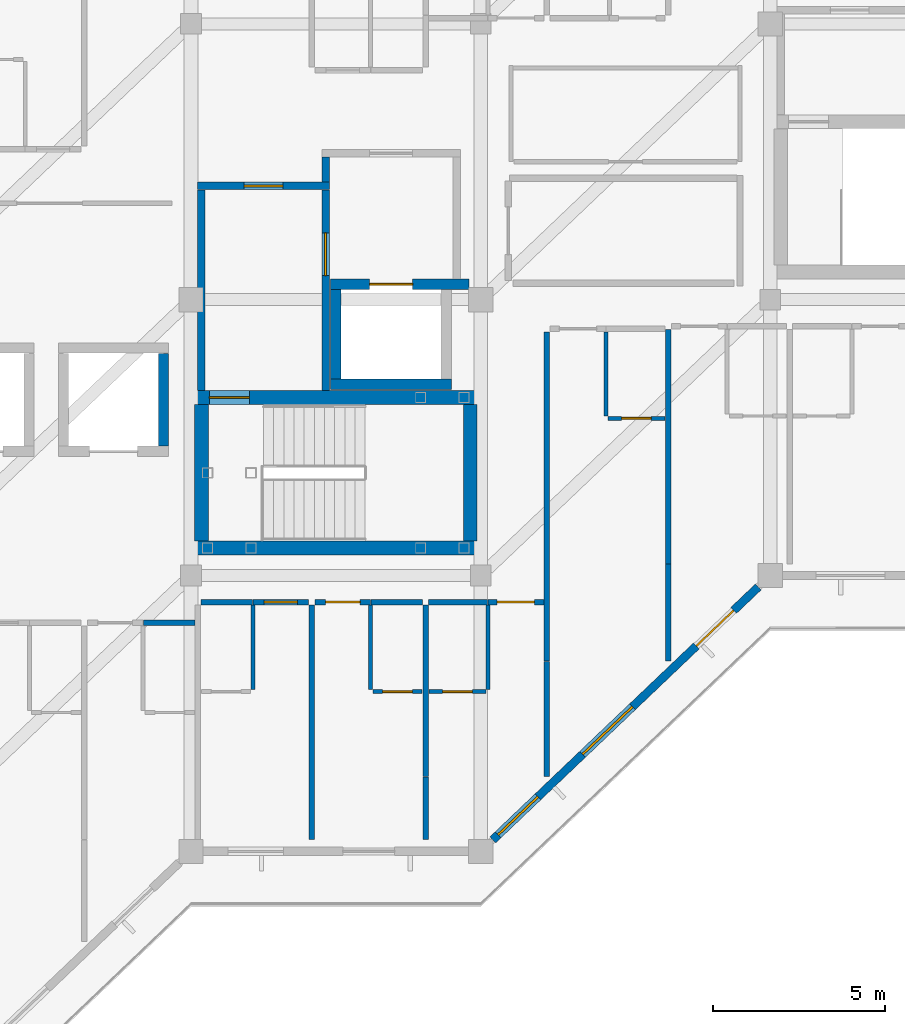
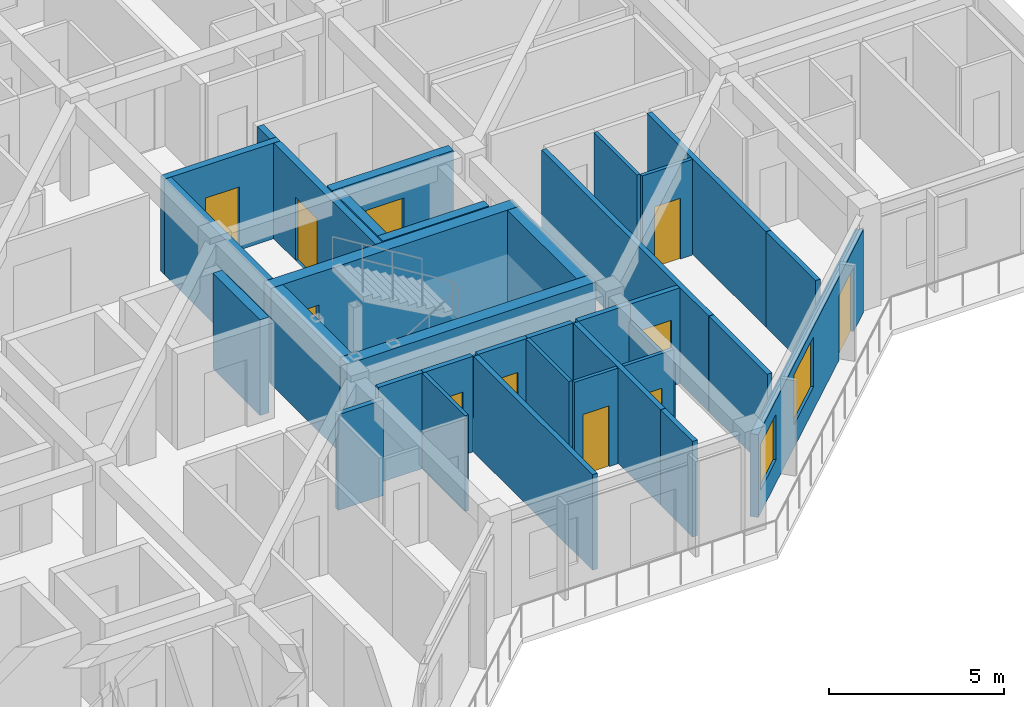
# One storey, part 9 of 15: 34 walls, 11 doors, 2 windows, 13 openings.
"""IFC4 building model written with IfcOpenShell, lengths in metres."""

from ifc_helpers import new_model, si_unit, direction, frame, frame_2d, origin, place, context, subcontext, project, spatial, rectangle, extrude, material, layer, layer_set, type_object, element, fill, save


model = new_model("IFC4")

# Units and contexts
model_context = context("Model", 3, precision=1e-05, world=origin(), true_north=direction((0.0, 1.0)))
body_context = subcontext(model_context, "Body", "Model", "MODEL_VIEW")
ifc_project = project(units=[si_unit("LENGTHUNIT", "METRE"), si_unit("AREAUNIT", "SQUARE_METRE"), si_unit("VOLUMEUNIT", "CUBIC_METRE"), si_unit("PLANEANGLEUNIT", "RADIAN"), si_unit("MASSUNIT", "GRAM", prefix="KILO")], contexts=[model_context])

# Site, building, storey
site_placement = place(None, origin())
site = spatial("IfcSite", under=ifc_project, at=site_placement, CompositionType="ELEMENT")
building_placement = place(site_placement, origin())
building = spatial("IfcBuilding", under=site, at=building_placement, Name="Naruveol Harbour Congress Hotel", CompositionType="ELEMENT")
storey_placement = place(building_placement, frame((0.0, 0.0, 32.39990234375)))
storey = spatial("IfcBuildingStorey", under=building, at=storey_placement, Name="L07", CompositionType="ELEMENT", Elevation=32.39990234375)

# Walls
ifc_material_1 = material(Name="Moisture-Resistant Gypsum Partition", Category="gypsum")
ifc_layer_1 = layer(ifc_material_1, 0.114990234375)
ifc_layer_set_1 = layer_set([ifc_layer_1], Name="Moisture-Resistant Gypsum Partition")
wall_type_1 = type_object("IfcWallType", Name="BATHROOM MOISTURE PARTITION WALL 115", PredefinedType="PARTITIONING", material=ifc_layer_set_1)
for number, where, z_axis, x_axis, name in (
    (1, (152.989990234375, 12.68994140625, 0.0), (0.0, 0.0, 1.0), (0.0, 1.0, 0.0), "Bathroom east wall 0897 PW-115"),
    (2, (156.409912109375, 12.68994140625, 0.0), (0.0, 0.0, 1.0), (0.0, 1.0, 0.0), "Bathroom west wall 0898 PW-115"),
):
    element("IfcWall", number, at=place(storey_placement, frame(where, z_axis=z_axis, x_axis=x_axis)), inside=storey, type_object=wall_type_1, Name=name, PredefinedType="PARTITIONING", context=body_context, shape_type="SweptSolid", body=[
        extrude(rectangle(XDim=2.449951171875, YDim=0.114990234375, at=frame_2d((1.22509765625, 0.0))), origin(), (0.0, 0.0, 1.0), 3.335205078125),
    ])

# Wall, opening, door
wall_1_placement = place(storey_placement, frame((156.469970703125, 12.6298828125, 0.0), z_axis=(0.0, 0.0, 1.0), x_axis=(1.0, 0.0, 0.0)))
wall_1 = element("IfcWall", 3, at=wall_1_placement, inside=storey, type_object=wall_type_1, Name="Bathroom south wall 0898 PW-115", PredefinedType="PARTITIONING", context=body_context, shape_type="SweptSolid", body=[
    extrude(rectangle(XDim=1.429931640625, YDim=0.114990234375, at=frame_2d((0.71484375, 0.0))), origin(), (0.0, 0.0, 1.0), 3.335205078125),
])
opening_1_placement = place(wall_1_placement, frame((0.284912109375, 0.0, 0.0)))
opening_1 = element("IfcOpeningElement", 4, at=opening_1_placement, cuts=wall_1, Name="Opening BD-RM0898", PredefinedType="OPENING", context=body_context, shape_type="SweptSolid", body=[
    extrude(rectangle(XDim=0.860107421875, YDim=2.1201171875, at=frame_2d((0.43017578125, 1.06005859375))), frame((0.0, 0.0673828125, 0.0), z_axis=(0.0, -1.0, 0.0), x_axis=(1.0, 0.0, 0.0)), (0.0, 0.0, 1.0), 0.135009765625),
])
ifc_material_2 = material(Name="Timber & Steel Acoustic Leaf", Category="steel")
door_type_1 = type_object("IfcDoorType", Name="GUEST BATHROOM DOOR 860X2120", OperationType="NOTDEFINED", PredefinedType="DOOR", material=ifc_material_2)
door_1_placement = place(opening_1_placement, origin())
door_1 = element("IfcDoor", 5, at=door_1_placement, inside=storey, type_object=door_type_1, Name="Bathroom Door 0898", OperationType="SINGLE_SWING_RIGHT", OverallHeight=2.1201171875, OverallWidth=0.860107421875, PredefinedType="DOOR", context=body_context, shape_type="SweptSolid", body=[
    extrude(rectangle(XDim=0.860107421875, YDim=2.1201171875, at=frame_2d((0.43017578125, 1.06005859375))), frame((0.0, 0.02490234375, 0.0), z_axis=(0.0, -1.0, 0.0), x_axis=(1.0, 0.0, 0.0)), (0.0, 0.0, 1.0), 0.050048828125),
])
fill(opening_1, door_1)

# Wall
wall_2_placement = place(storey_placement, frame((159.81005859375, 12.68994140625, 0.0), z_axis=(0.0, 0.0, 1.0), x_axis=(0.0, 1.0, 0.0)))
element("IfcWall", 6, at=wall_2_placement, inside=storey, type_object=wall_type_1, Name="Bathroom east wall 0899 PW-115", PredefinedType="PARTITIONING", context=body_context, shape_type="SweptSolid", body=[
    extrude(rectangle(XDim=2.449951171875, YDim=0.114990234375, at=frame_2d((1.22509765625, 0.0))), origin(), (0.0, 0.0, 1.0), 2.739990234375),
])

# Wall, opening, door
wall_3_placement = place(storey_placement, frame((158.10009765625, 12.6298828125, 0.0), z_axis=(0.0, 0.0, 1.0), x_axis=(1.0, 0.0, 0.0)))
wall_3 = element("IfcWall", 7, at=wall_3_placement, inside=storey, type_object=wall_type_1, Name="Bathroom south wall 0899 PW-115", PredefinedType="PARTITIONING", context=body_context, shape_type="SweptSolid", body=[
    extrude(rectangle(XDim=1.64990234375, YDim=0.114990234375, at=frame_2d((0.824951171875, 0.0))), origin(), (0.0, 0.0, 1.0), 3.335205078125),
])
opening_2_placement = place(wall_3_placement, frame((0.39501953125, 0.0, 0.0)))
opening_2 = element("IfcOpeningElement", 8, at=opening_2_placement, cuts=wall_3, Name="Opening BD-RM0899", PredefinedType="OPENING", context=body_context, shape_type="SweptSolid", body=[
    extrude(rectangle(XDim=0.860107421875, YDim=2.1201171875, at=frame_2d((0.43017578125, 1.06005859375))), frame((0.0, 0.0673828125, 0.0), z_axis=(0.0, -1.0, 0.0), x_axis=(1.0, 0.0, 0.0)), (0.0, 0.0, 1.0), 0.135009765625),
])
door_2_placement = place(opening_2_placement, origin())
door_2 = element("IfcDoor", 9, at=door_2_placement, inside=storey, type_object=door_type_1, Name="Bathroom Door 0899", OperationType="SINGLE_SWING_RIGHT", OverallHeight=2.1201171875, OverallWidth=0.860107421875, PredefinedType="DOOR", context=body_context, shape_type="SweptSolid", body=[
    extrude(rectangle(XDim=0.860107421875, YDim=2.1201171875, at=frame_2d((0.43017578125, 1.06005859375))), frame((0.0, 0.02490234375, 0.0), z_axis=(0.0, -1.0, 0.0), x_axis=(1.0, 0.0, 0.0)), (0.0, 0.0, 1.0), 0.050048828125),
])
fill(opening_2, door_2)

# Wall
wall_4_placement = place(storey_placement, frame((163.22998046875, 20.6201171875, 0.0), z_axis=(0.0, 0.0, 1.0), x_axis=(0.0, 1.0, 0.0)))
element("IfcWall", 10, at=wall_4_placement, inside=storey, type_object=wall_type_1, Name="Bathroom west wall 0800 PW-115", PredefinedType="PARTITIONING", context=body_context, shape_type="SweptSolid", body=[
    extrude(rectangle(XDim=2.449951171875, YDim=0.114990234375, at=frame_2d((1.22509765625, 0.0))), origin(), (0.0, 0.0, 1.0), 3.335205078125),
])

# Wall, opening, door
wall_5_placement = place(storey_placement, frame((163.2900390625, 20.56005859375, 0.0), z_axis=(0.0, 0.0, 1.0), x_axis=(1.0, 0.0, 0.0)))
wall_5 = element("IfcWall", 11, at=wall_5_placement, inside=storey, type_object=wall_type_1, Name="Bathroom south wall 0800 PW-115", PredefinedType="PARTITIONING", context=body_context, shape_type="SweptSolid", body=[
    extrude(rectangle(XDim=1.64990234375, YDim=0.114990234375, at=frame_2d((0.824951171875, 0.0))), origin(), (0.0, 0.0, 1.0), 3.335205078125),
])
opening_3_placement = place(wall_5_placement, frame((0.39501953125, 0.0, 0.0)))
opening_3 = element("IfcOpeningElement", 12, at=opening_3_placement, cuts=wall_5, Name="Opening BD-RM0800", PredefinedType="OPENING", context=body_context, shape_type="SweptSolid", body=[
    extrude(rectangle(XDim=0.860107421875, YDim=2.1201171875, at=frame_2d((0.43017578125, 1.06005859375))), frame((0.0, 0.0673828125, 0.0), z_axis=(0.0, -1.0, 0.0), x_axis=(1.0, 0.0, 0.0)), (0.0, 0.0, 1.0), 0.135009765625),
])
door_3_placement = place(opening_3_placement, origin())
door_3 = element("IfcDoor", 13, at=door_3_placement, inside=storey, type_object=door_type_1, Name="Bathroom Door 0800", OperationType="SINGLE_SWING_RIGHT", OverallHeight=2.1201171875, OverallWidth=0.860107421875, PredefinedType="DOOR", context=body_context, shape_type="SweptSolid", body=[
    extrude(rectangle(XDim=0.860107421875, YDim=2.1201171875, at=frame_2d((0.43017578125, 1.06005859375))), frame((0.0, 0.02490234375, 0.0), z_axis=(0.0, -1.0, 0.0), x_axis=(1.0, 0.0, 0.0)), (0.0, 0.0, 1.0), 0.050048828125),
])
fill(opening_3, door_3)

# Wall
ifc_material_3 = material(Name="Concrete C40/50", Category="concrete")
ifc_layer_2 = layer(ifc_material_3, 0.219970703125)
ifc_layer_set_2 = layer_set([ifc_layer_2], Name="Concrete C40/50")
wall_type_2 = type_object("IfcWallType", Name="FIRE COMPARTMENT AND LOBBY WALL 220 EI120", PredefinedType="PARTITIONING", material=ifc_layer_set_2)
wall_6_placement = place(storey_placement, frame((151.5, 21.364990234375, 0.0), z_axis=(0.0, 0.0, 1.0), x_axis=(0.0, 1.0, 0.0)))
element("IfcWall", 14, at=wall_6_placement, inside=storey, type_object=wall_type_2, Name="Smoke vestibule ST2 west wall FW-220", PredefinedType="PARTITIONING", context=body_context, shape_type="SweptSolid", body=[
    extrude(rectangle(XDim=5.820068359375, YDim=0.219970703125, at=frame_2d((2.91015625, 0.0))), origin(), (0.0, 0.0, 1.0), 3.335205078125),
])

# Wall, opening, door
wall_7_placement = place(storey_placement, frame((151.389892578125, 27.300048828125, 0.0), z_axis=(0.0, 0.0, 1.0), x_axis=(1.0, 0.0, 0.0)))
wall_7 = element("IfcWall", 15, at=wall_7_placement, inside=storey, type_object=wall_type_2, Name="Smoke vestibule ST2 north wall FW-220", PredefinedType="PARTITIONING", context=body_context, shape_type="SweptSolid", body=[
    extrude(rectangle(XDim=3.820068359375, YDim=0.219970703125, at=frame_2d((1.91015625, 0.0))), origin(), (0.0, 0.0, 1.0), 3.335205078125),
])
opening_4_placement = place(wall_7_placement, frame((1.35009765625, 0.0, 0.0)))
opening_4 = element("IfcOpeningElement", 16, at=opening_4_placement, cuts=wall_7, Name="Opening FD-ST2-V-L07", PredefinedType="OPENING", context=body_context, shape_type="SweptSolid", body=[
    extrude(rectangle(XDim=1.1201171875, YDim=2.199951171875, at=frame_2d((0.56005859375, 1.10009765625))), frame((0.0, 0.119873046875, 0.0), z_axis=(0.0, -1.0, 0.0), x_axis=(1.0, 0.0, 0.0)), (0.0, 0.0, 1.0), 0.239990234375),
])
ifc_material_4 = material(Name="Timber & Steel Acoustic Leaf", Category="steel")
door_type_2 = type_object("IfcDoorType", Name="VESTIBULE SMOKE CONTROL FIRE DOOR 1120X2200", OperationType="NOTDEFINED", PredefinedType="DOOR", material=ifc_material_4)
door_4_placement = place(opening_4_placement, origin())
door_4 = element("IfcDoor", 17, at=door_4_placement, inside=storey, type_object=door_type_2, Name="Smoke Vestibule Entry Door ST2 L07", OperationType="SINGLE_SWING_LEFT", OverallHeight=2.199951171875, OverallWidth=1.1201171875, PredefinedType="DOOR", context=body_context, shape_type="SweptSolid", body=[
    extrude(rectangle(XDim=1.1201171875, YDim=2.199951171875, at=frame_2d((0.56005859375, 1.10009765625))), frame((0.0, 0.02490234375, 0.0), z_axis=(0.0, -1.0, 0.0), x_axis=(1.0, 0.0, 0.0)), (0.0, 0.0, 1.0), 0.050048828125),
])
fill(opening_4, door_4)

wall_8_placement = place(storey_placement, frame((155.10009765625, 21.364990234375, 0.0), z_axis=(0.0, 0.0, 1.0), x_axis=(0.0, 1.0, 0.0)))
wall_8 = element("IfcWall", 18, at=wall_8_placement, inside=storey, type_object=wall_type_2, Name="Smoke vestibule ST2 east wall FW-220", PredefinedType="PARTITIONING", context=body_context, shape_type="SweptSolid", body=[
    extrude(rectangle(XDim=5.820068359375, YDim=0.219970703125, at=frame_2d((2.91015625, 0.0))), origin(), (0.0, 0.0, 1.0), 3.335205078125),
])
opening_5_placement = place(wall_8_placement, frame((3.3349609375, 0.0, 0.0)))
opening_5 = element("IfcOpeningElement", 19, at=opening_5_placement, cuts=wall_8, Name="Opening FD-FFL-ST2-L07", PredefinedType="OPENING", context=body_context, shape_type="SweptSolid", body=[
    extrude(rectangle(XDim=1.239990234375, YDim=2.199951171875, at=frame_2d((0.6201171875, 1.10009765625))), frame((0.0, 0.119873046875, 0.0), z_axis=(0.0, -1.0, 0.0), x_axis=(1.0, 0.0, 0.0)), (0.0, 0.0, 1.0), 0.239990234375),
])
ifc_material_5 = material(Name="Timber & Steel Acoustic Leaf", Category="steel")
door_type_3 = type_object("IfcDoorType", Name="FIREFIGHTING LOBBY FIRE DOOR 1240X2200", OperationType="NOTDEFINED", PredefinedType="DOOR", material=ifc_material_5)
door_5_placement = place(opening_5_placement, origin())
door_5 = element("IfcDoor", 20, at=door_5_placement, inside=storey, type_object=door_type_3, Name="Firefighting Lobby Vestibule Door ST2 L07", OperationType="SINGLE_SWING_RIGHT", OverallHeight=2.199951171875, OverallWidth=1.239990234375, PredefinedType="DOOR", context=body_context, shape_type="SweptSolid", body=[
    extrude(rectangle(XDim=1.239990234375, YDim=2.199951171875, at=frame_2d((0.6201171875, 1.10009765625))), frame((0.0, 0.02490234375, 0.0), z_axis=(0.0, -1.0, 0.0), x_axis=(1.0, 0.0, 0.0)), (0.0, 0.0, 1.0), 0.050048828125),
])
fill(opening_5, door_5)

# Walls
wall_9_placement = place(storey_placement, frame((155.10009765625, 27.4150390625, 0.0), z_axis=(0.0, 0.0, 1.0), x_axis=(0.0, 1.0, 0.0)))
element("IfcWall", 21, at=wall_9_placement, inside=storey, type_object=wall_type_2, Name="Firefighting lift lobby ST2 upper west wall FW-220", PredefinedType="PARTITIONING", context=body_context, shape_type="SweptSolid", body=[
    extrude(rectangle(XDim=0.719970703125, YDim=0.219970703125, at=frame_2d((0.35986328125, 0.0))), origin(), (0.0, 0.0, 1.0), 3.335205078125),
])
ifc_material_6 = material(Name="Autoclaved Aerated Concrete Block", Category="concrete")
ifc_layer_3 = layer(ifc_material_6, 0.159912109375)
ifc_layer_set_3 = layer_set([ifc_layer_3], Name="Autoclaved Aerated Concrete Block")
wall_type_3 = type_object("IfcWallType", Name="HOTEL PARTY AND CORRIDOR WALL 160 EI60", PredefinedType="PARTITIONING", material=ifc_layer_set_3)
for number, where, z_axis, x_axis, name in (
    (22, (149.820068359375, 14.6298828125, 0.0), (0.0, 0.0, 1.0), (1.0, 0.0, 0.0), "Corridor wall 0896B PW-160"),
    (23, (151.489990234375, 15.22998046875, 0.0), (0.0, 0.0, 1.0), (1.0, 0.0, 0.0), "Corridor wall 0897B PW-160"),
):
    element("IfcWall", number, at=place(storey_placement, frame(where, z_axis=z_axis, x_axis=x_axis)), inside=storey, type_object=wall_type_3, Name=name, PredefinedType="PARTITIONING", context=body_context, shape_type="SweptSolid", body=[
        extrude(rectangle(XDim=1.489990234375, YDim=0.159912109375, at=frame_2d((0.7451171875, 0.0))), origin(), (0.0, 0.0, 1.0), 3.335205078125),
    ])

# Wall, opening, door
wall_10_placement = place(storey_placement, frame((152.989990234375, 15.22998046875, 0.0), z_axis=(0.0, 0.0, 1.0), x_axis=(1.0, 0.0, 0.0)))
wall_10 = element("IfcWall", 24, at=wall_10_placement, inside=storey, type_object=wall_type_3, Name="Corridor entry wall 0897 PW-160", PredefinedType="PARTITIONING", context=body_context, shape_type="SweptSolid", body=[
    extrude(rectangle(XDim=1.6201171875, YDim=0.159912109375, at=frame_2d((0.81005859375, 0.0))), origin(), (0.0, 0.0, 1.0), 3.335205078125),
])
opening_6_placement = place(wall_10_placement, frame((0.330078125, 0.0, 0.0)))
opening_6 = element("IfcOpeningElement", 25, at=opening_6_placement, cuts=wall_10, Name="Opening FD-RM0897", PredefinedType="OPENING", context=body_context, shape_type="SweptSolid", body=[
    extrude(rectangle(XDim=0.9599609375, YDim=2.199951171875, at=frame_2d((0.47998046875, 1.10009765625))), frame((0.0, 0.08984375, 0.0), z_axis=(0.0, -1.0, 0.0), x_axis=(1.0, 0.0, 0.0)), (0.0, 0.0, 1.0), 0.179931640625),
])
ifc_material_7 = material(Name="Timber & Steel Acoustic Leaf", Category="steel")
door_type_4 = type_object("IfcDoorType", Name="GUEST ROOM ENTRANCE FIRE DOOR 960X2200", OperationType="NOTDEFINED", PredefinedType="DOOR", material=ifc_material_7)
door_6_placement = place(opening_6_placement, origin())
door_6 = element("IfcDoor", 26, at=door_6_placement, inside=storey, type_object=door_type_4, Name="Hotel Room Door 0897", OperationType="SINGLE_SWING_LEFT", OverallHeight=2.199951171875, OverallWidth=0.9599609375, PredefinedType="DOOR", context=body_context, shape_type="SweptSolid", body=[
    extrude(rectangle(XDim=0.9599609375, YDim=2.199951171875, at=frame_2d((0.47998046875, 1.10009765625))), frame((0.0, 0.02490234375, 0.0), z_axis=(0.0, -1.0, 0.0), x_axis=(1.0, 0.0, 0.0)), (0.0, 0.0, 1.0), 0.050048828125),
])
fill(opening_6, door_6)

wall_11_placement = place(storey_placement, frame((154.7900390625, 15.22998046875, 0.0), z_axis=(0.0, 0.0, 1.0), x_axis=(1.0, 0.0, 0.0)))
wall_11 = element("IfcWall", 27, at=wall_11_placement, inside=storey, type_object=wall_type_3, Name="Corridor entry wall 0898 PW-160", PredefinedType="PARTITIONING", context=body_context, shape_type="SweptSolid", body=[
    extrude(rectangle(XDim=1.619873046875, YDim=0.159912109375, at=frame_2d((0.81005859375, 0.0))), origin(), (0.0, 0.0, 1.0), 3.335205078125),
])
opening_7_placement = place(wall_11_placement, frame((0.31005859375, 0.0, 0.0)))
opening_7 = element("IfcOpeningElement", 28, at=opening_7_placement, cuts=wall_11, Name="Opening FD-RM0898", PredefinedType="OPENING", context=body_context, shape_type="SweptSolid", body=[
    extrude(rectangle(XDim=1.0, YDim=2.25, at=frame_2d((0.5, 1.125))), frame((0.0, 0.08984375, 0.0), z_axis=(0.0, -1.0, 0.0), x_axis=(1.0, 0.0, 0.0)), (0.0, 0.0, 1.0), 0.179931640625),
])
ifc_material_8 = material(Name="Timber & Steel Acoustic Leaf", Category="steel")
door_type_5 = type_object("IfcDoorType", Name="DELUXE GUEST ENTRANCE FIRE DOOR 1000X2250", OperationType="NOTDEFINED", PredefinedType="DOOR", material=ifc_material_8)
door_7_placement = place(opening_7_placement, origin())
door_7 = element("IfcDoor", 29, at=door_7_placement, inside=storey, type_object=door_type_5, Name="Hotel Room Door 0898", OperationType="SINGLE_SWING_LEFT", OverallHeight=2.25, OverallWidth=1.0, PredefinedType="DOOR", context=body_context, shape_type="SweptSolid", body=[
    extrude(rectangle(XDim=1.0, YDim=2.25, at=frame_2d((0.5, 1.125))), frame((0.0, 0.02490234375, 0.0), z_axis=(0.0, -1.0, 0.0), x_axis=(1.0, 0.0, 0.0)), (0.0, 0.0, 1.0), 0.050048828125),
])
fill(opening_7, door_7)

# Walls
wall_12_placement = place(storey_placement, frame((156.419921875, 15.22998046875, 0.0), z_axis=(0.0, 0.0, 1.0), x_axis=(1.0, 0.0, 0.0)))
element("IfcWall", 30, at=wall_12_placement, inside=storey, type_object=wall_type_3, Name="Corridor wall 0898B PW-160", PredefinedType="PARTITIONING", context=body_context, shape_type="SweptSolid", body=[
    extrude(rectangle(XDim=1.489990234375, YDim=0.159912109375, at=frame_2d((0.7451171875, 0.0))), origin(), (0.0, 0.0, 1.0), 3.335205078125),
])
wall_13_placement = place(storey_placement, frame((154.699951171875, 8.340087890625, 0.0), z_axis=(0.0, 0.0, 1.0), x_axis=(0.0, 1.0, 0.0)))
element("IfcWall", 31, at=wall_13_placement, inside=storey, type_object=wall_type_3, Name="Hotel party wall 0898 PW-160", PredefinedType="PARTITIONING", context=body_context, shape_type="SweptSolid", body=[
    extrude(rectangle(XDim=6.7998046875, YDim=0.159912109375, at=frame_2d((3.39990234375, 0.0))), origin(), (0.0, 0.0, 1.0), 3.335205078125),
])
wall_14_placement = place(storey_placement, frame((158.0, 8.340087890625, 0.0), z_axis=(0.0, 0.0, 1.0), x_axis=(0.0, 1.0, 0.0)))
element("IfcWall", 32, at=wall_14_placement, inside=storey, type_object=wall_type_3, Name="Hotel end party wall 0898 PW-160", PredefinedType="PARTITIONING", context=body_context, shape_type="SweptSolid", body=[
    extrude(rectangle(XDim=1.81982421875, YDim=0.159912109375, at=frame_2d((0.909912109375, 0.0))), origin(), (0.0, 0.0, 1.0), 3.335205078125),
])
wall_15_placement = place(storey_placement, frame((158.090087890625, 15.22998046875, 0.0), z_axis=(0.0, 0.0, 1.0), x_axis=(1.0, 0.0, 0.0)))
element("IfcWall", 33, at=wall_15_placement, inside=storey, type_object=wall_type_3, Name="Corridor wall 0899B PW-160", PredefinedType="PARTITIONING", context=body_context, shape_type="SweptSolid", body=[
    extrude(rectangle(XDim=1.7099609375, YDim=0.159912109375, at=frame_2d((0.85498046875, 0.0))), origin(), (0.0, 0.0, 1.0), 3.335205078125),
])

# Wall, opening, door
wall_16_placement = place(storey_placement, frame((159.81005859375, 15.22998046875, 0.0), z_axis=(0.0, 0.0, 1.0), x_axis=(1.0, 0.0, 0.0)))
wall_16 = element("IfcWall", 34, at=wall_16_placement, inside=storey, type_object=wall_type_3, Name="Corridor entry wall 0899 PW-160", PredefinedType="PARTITIONING", context=body_context, shape_type="SweptSolid", body=[
    extrude(rectangle(XDim=1.619873046875, YDim=0.159912109375, at=frame_2d((0.81005859375, 0.0))), origin(), (0.0, 0.0, 1.0), 3.335205078125),
])
opening_8_placement = place(wall_16_placement, frame((0.27001953125, 0.0, 0.0)))
opening_8 = element("IfcOpeningElement", 35, at=opening_8_placement, cuts=wall_16, Name="Opening FD-RM0899", PredefinedType="OPENING", context=body_context, shape_type="SweptSolid", body=[
    extrude(rectangle(XDim=1.080078125, YDim=2.300048828125, at=frame_2d((0.5400390625, 1.14990234375))), frame((0.0, 0.08984375, 0.0), z_axis=(0.0, -1.0, 0.0), x_axis=(1.0, 0.0, 0.0)), (0.0, 0.0, 1.0), 0.179931640625),
])
ifc_material_9 = material(Name="Timber & Steel Acoustic Leaf", Category="steel")
door_type_6 = type_object("IfcDoorType", Name="SUITE ENTRANCE FIRE DOOR 1080X2300", OperationType="NOTDEFINED", PredefinedType="DOOR", material=ifc_material_9)
door_8_placement = place(opening_8_placement, origin())
door_8 = element("IfcDoor", 36, at=door_8_placement, inside=storey, type_object=door_type_6, Name="Hotel Room Door 0899", OperationType="SINGLE_SWING_LEFT", OverallHeight=2.300048828125, OverallWidth=1.080078125, PredefinedType="DOOR", context=body_context, shape_type="SweptSolid", body=[
    extrude(rectangle(XDim=1.080078125, YDim=2.300048828125, at=frame_2d((0.5400390625, 1.14990234375))), frame((0.0, 0.02490234375, 0.0), z_axis=(0.0, -1.0, 0.0), x_axis=(1.0, 0.0, 0.0)), (0.0, 0.0, 1.0), 0.050048828125),
])
fill(opening_8, door_8)

# Walls
wall_17_placement = place(storey_placement, frame((158.0, 10.169921875, 0.0), z_axis=(0.0, 0.0, 1.0), x_axis=(0.0, 1.0, 0.0)))
element("IfcWall", 37, at=wall_17_placement, inside=storey, type_object=wall_type_3, Name="Hotel party wall 0899 PW-160", PredefinedType="PARTITIONING", context=body_context, shape_type="SweptSolid", body=[
    extrude(rectangle(XDim=4.969970703125, YDim=0.159912109375, at=frame_2d((2.48486328125, 0.0))), origin(), (0.0, 0.0, 1.0), 3.335205078125),
])
wall_18_placement = place(storey_placement, frame((161.52001953125, 10.169921875, 0.0), z_axis=(0.0, 0.0, 1.0), x_axis=(0.0, 1.0, 0.0)))
element("IfcWall", 38, at=wall_18_placement, inside=storey, type_object=wall_type_3, Name="Hotel end party wall 0899 PW-160", PredefinedType="PARTITIONING", context=body_context, shape_type="SweptSolid", body=[
    extrude(rectangle(XDim=3.340087890625, YDim=0.159912109375, at=frame_2d((1.669921875, 0.0))), origin(), (0.0, 0.0, 1.0), 3.335205078125),
])
wall_19_placement = place(storey_placement, frame((161.52001953125, 13.52001953125, 0.0), z_axis=(0.0, 0.0, 1.0), x_axis=(0.0, 1.0, 0.0)))
element("IfcWall", 39, at=wall_19_placement, inside=storey, type_object=wall_type_3, Name="Hotel party wall 0800 PW-160", PredefinedType="PARTITIONING", context=body_context, shape_type="SweptSolid", body=[
    extrude(rectangle(XDim=9.550048828125, YDim=0.159912109375, at=frame_2d((4.77490234375, 0.0))), origin(), (0.0, 0.0, 1.0), 3.335205078125),
])
wall_20_placement = place(storey_placement, frame((165.0400390625, 13.52001953125, 0.0), z_axis=(0.0, 0.0, 1.0), x_axis=(0.0, 1.0, 0.0)))
element("IfcWall", 40, at=wall_20_placement, inside=storey, type_object=wall_type_3, Name="Hotel end party wall 0800 PW-160", PredefinedType="PARTITIONING", context=body_context, shape_type="SweptSolid", body=[
    extrude(rectangle(XDim=2.81005859375, YDim=0.159912109375, at=frame_2d((1.405029296875, 0.0))), origin(), (0.0, 0.0, 1.0), 3.335205078125),
])
wall_21_placement = place(storey_placement, frame((165.0400390625, 16.340087890625, 0.0), z_axis=(0.0, 0.0, 1.0), x_axis=(0.0, 1.0, 0.0)))
element("IfcWall", 41, at=wall_21_placement, inside=storey, type_object=wall_type_3, Name="Hotel party wall 0801 PW-160", PredefinedType="PARTITIONING", context=body_context, shape_type="SweptSolid", body=[
    extrude(rectangle(XDim=6.7998046875, YDim=0.159912109375, at=frame_2d((3.39990234375, 0.0))), origin(), (0.0, 0.0, 1.0), 3.335205078125),
])

# Wall, openings, windows, door
ifc_material_10 = material(Name="Concrete C40/50", Category="concrete")
ifc_layer_4 = layer(ifc_material_10, 0.239990234375)
ifc_layer_set_4 = layer_set([ifc_layer_4], Name="Concrete C40/50")
wall_type_4 = type_object("IfcWallType", Name="INSULATED HOTEL SPANDREL WALL 240", PredefinedType="SOLIDWALL", material=ifc_layer_set_4)
wall_22_placement = place(storey_placement, frame((167.64990234375, 15.6669921875, 0.0), z_axis=(0.0, 0.0, 1.0), x_axis=(-0.724105170588, -0.689689569247, 0.0)))
wall_22 = element("IfcWall", 42, at=wall_22_placement, inside=storey, type_object=wall_type_4, Name="Hotel south waterfront wall L07 EW-240", PredefinedType="SOLIDWALL", context=body_context, shape_type="SweptSolid", body=[
    extrude(rectangle(XDim=10.6337890625, YDim=0.239990234375, at=frame_2d((5.31689453125, 0.0))), origin(), (0.0, 0.0, 1.0), 2.89013671875),
])
opening_9_placement = place(wall_22_placement, frame((0.98291015625, 0.0, 0.0)))
opening_9 = element("IfcOpeningElement", 43, at=opening_9_placement, cuts=wall_22, Name="Opening BD-150-059", PredefinedType="OPENING", context=body_context, shape_type="SweptSolid", body=[
    extrude(rectangle(XDim=1.5, YDim=2.25, at=frame_2d((0.75, 1.125))), frame((0.0, 0.1298828125, 0.0), z_axis=(0.0, -1.0, 0.0), x_axis=(1.0, 0.0, 0.0)), (0.0, 0.0, 1.0), 0.260009765625),
])
opening_10_placement = place(wall_22_placement, frame((5.034912109375, 0.0, 0.800048828125)))
opening_10 = element("IfcOpeningElement", 44, at=opening_10_placement, cuts=wall_22, Name="Opening W-05", PredefinedType="OPENING", context=body_context, shape_type="SweptSolid", body=[
    extrude(rectangle(XDim=2.0, YDim=1.75, at=frame_2d((1.0, 0.875))), frame((0.0, 0.1298828125, 0.0), z_axis=(0.0, -1.0, 0.0), x_axis=(1.0, 0.0, 0.0)), (0.0, 0.0, 1.0), 0.260009765625),
])
opening_11_placement = place(wall_22_placement, frame((8.819091796875, 0.0, 0.800048828125)))
opening_11 = element("IfcOpeningElement", 45, at=opening_11_placement, cuts=wall_22, Name="Opening W-03", PredefinedType="OPENING", context=body_context, shape_type="SweptSolid", body=[
    extrude(rectangle(XDim=1.60009765625, YDim=1.60009765625, at=frame_2d((0.800048828125, 0.800048828125))), frame((0.0, 0.1298828125, 0.0), z_axis=(0.0, -1.0, 0.0), x_axis=(1.0, 0.0, 0.0)), (0.0, 0.0, 1.0), 0.260009765625),
])
ifc_material_11 = material(Name="Low-E Triple Glazing in Thermal Aluminium", Category="aluminium")
window_type_1 = type_object("IfcWindowType", Name="DELUXE GUEST WINDOW 1600X1600", PartitioningType="SINGLE_PANEL", PredefinedType="WINDOW", material=ifc_material_11)
window_1_placement = place(opening_11_placement, origin())
window_1 = element("IfcWindow", 46, at=window_1_placement, inside=storey, type_object=window_type_1, Name="Window W-03 #400", OverallHeight=1.60009765625, OverallWidth=1.60009765625, PartitioningType="SINGLE_PANEL", PredefinedType="WINDOW", context=body_context, shape_type="SweptSolid", body=[
    extrude(rectangle(XDim=1.60009765625, YDim=1.60009765625, at=frame_2d((0.800048828125, 0.800048828125))), frame((0.0, 0.030029296875, 0.0), z_axis=(0.0, -1.0, 0.0), x_axis=(1.0, 0.0, 0.0)), (0.0, 0.0, 1.0), 0.06005859375),
])
fill(opening_11, window_1)
ifc_material_12 = material(Name="Low-E Triple Glazing in Thermal Aluminium", Category="aluminium")
window_type_2 = type_object("IfcWindowType", Name="GARDEN SUITE WINDOW 2000X1750", PartitioningType="DOUBLE_PANEL_VERTICAL", PredefinedType="WINDOW", material=ifc_material_12)
window_2_placement = place(opening_10_placement, origin())
window_2 = element("IfcWindow", 47, at=window_2_placement, inside=storey, type_object=window_type_2, Name="Window W-05 #399", OverallHeight=1.75, OverallWidth=2.0, PartitioningType="DOUBLE_PANEL_VERTICAL", PredefinedType="WINDOW", context=body_context, shape_type="SweptSolid", body=[
    extrude(rectangle(XDim=2.0, YDim=1.75, at=frame_2d((1.0, 0.875))), frame((0.0, 0.030029296875, 0.0), z_axis=(0.0, -1.0, 0.0), x_axis=(1.0, 0.0, 0.0)), (0.0, 0.0, 1.0), 0.06005859375),
])
fill(opening_10, window_2)
ifc_material_13 = material(Name="Powder-Coated Steel & Insulated Glazing", Category="steel")
door_type_7 = type_object("IfcDoorType", Name="SUITE BALCONY SLIDING DOOR 1500X2250", OperationType="SLIDING_TO_LEFT", PredefinedType="DOOR", material=ifc_material_13)
door_9_placement = place(opening_9_placement, origin())
door_9 = element("IfcDoor", 48, at=door_9_placement, inside=storey, type_object=door_type_7, Name="Exterior door BD-150-059", OperationType="SLIDING_TO_LEFT", OverallHeight=2.25, OverallWidth=1.5, PredefinedType="DOOR", context=body_context, shape_type="SweptSolid", body=[
    extrude(rectangle(XDim=1.5, YDim=2.25, at=frame_2d((0.75, 1.125))), frame((0.0, 0.02490234375, 0.0), z_axis=(0.0, -1.0, 0.0), x_axis=(1.0, 0.0, 0.0)), (0.0, 0.0, 1.0), 0.050048828125),
])
fill(opening_9, door_9)

# Walls
ifc_material_14 = material(Name="Concrete C50/60", Category="concrete")
ifc_layer_5 = layer(ifc_material_14, 0.39990234375)
ifc_layer_set_5 = layer_set([ifc_layer_5], Name="Concrete C50/60")
wall_type_5 = type_object("IfcWallType", Name="RC CORE SHEAR WALL 400 EI120", PredefinedType="SHEAR", material=ifc_layer_set_5)
wall_23_placement = place(storey_placement, frame((151.300048828125, 16.800048828125, 0.0), z_axis=(0.0, 0.0, 1.0), x_axis=(1.0, 0.0, 0.0)))
element("IfcWall", 49, at=wall_23_placement, inside=storey, type_object=wall_type_5, Name="Stair ST2 south core wall CW-400", PredefinedType="SHEAR", context=body_context, shape_type="SweptSolid", body=[
    extrude(rectangle(XDim=8.199951171875, YDim=0.39990234375, at=frame_2d((4.10009765625, 0.0))), origin(), (0.0, 0.0, 1.0), 3.335205078125),
])
wall_24_placement = place(storey_placement, frame((159.300048828125, 17.0048828125, 0.0), z_axis=(0.0, 0.0, 1.0), x_axis=(0.0, 1.0, 0.0)))
element("IfcWall", 50, at=wall_24_placement, inside=storey, type_object=wall_type_5, Name="Stair ST2 east core wall CW-400", PredefinedType="SHEAR", context=body_context, shape_type="SweptSolid", body=[
    extrude(rectangle(XDim=3.9501953125, YDim=0.39990234375, at=frame_2d((1.97509765625, 0.0))), origin(), (0.0, 0.0, 1.0), 3.335205078125),
])

# Wall, opening, door
wall_25_placement = place(storey_placement, frame((151.300048828125, 21.159912109375, 0.0), z_axis=(0.0, 0.0, 1.0), x_axis=(1.0, 0.0, 0.0)))
wall_25 = element("IfcWall", 51, at=wall_25_placement, inside=storey, type_object=wall_type_5, Name="Stair ST2 north core wall CW-400", PredefinedType="SHEAR", context=body_context, shape_type="SweptSolid", body=[
    extrude(rectangle(XDim=8.199951171875, YDim=0.39990234375, at=frame_2d((4.10009765625, 0.0))), origin(), (0.0, 0.0, 1.0), 3.335205078125),
])
opening_12_placement = place(wall_25_placement, frame((0.429931640625, 0.0, 0.0)))
opening_12 = element("IfcOpeningElement", 52, at=opening_12_placement, cuts=wall_25, Name="Opening FD-ST2-S-L07", PredefinedType="OPENING", context=body_context, shape_type="SweptSolid", body=[
    extrude(rectangle(XDim=1.159912109375, YDim=2.199951171875, at=frame_2d((0.580078125, 1.10009765625))), frame((0.0, 0.2099609375, 0.0), z_axis=(0.0, -1.0, 0.0), x_axis=(1.0, 0.0, 0.0)), (0.0, 0.0, 1.0), 0.419921875),
])
ifc_material_15 = material(Name="Timber & Steel Acoustic Leaf", Category="steel")
door_type_8 = type_object("IfcDoorType", Name="SPECIAL ESCAPE STAIR FIRE DOOR 1160X2200", OperationType="NOTDEFINED", PredefinedType="DOOR", material=ifc_material_15)
door_10_placement = place(opening_12_placement, origin())
door_10 = element("IfcDoor", 53, at=door_10_placement, inside=storey, type_object=door_type_8, Name="Special Escape Stair Door ST2 L07", OperationType="SINGLE_SWING_RIGHT", OverallHeight=2.199951171875, OverallWidth=1.159912109375, PredefinedType="DOOR", context=body_context, shape_type="SweptSolid", body=[
    extrude(rectangle(XDim=1.159912109375, YDim=2.199951171875, at=frame_2d((0.580078125, 1.10009765625))), frame((0.0, 0.02490234375, 0.0), z_axis=(0.0, -1.0, 0.0), x_axis=(1.0, 0.0, 0.0)), (0.0, 0.0, 1.0), 0.050048828125),
])
fill(opening_12, door_10)

# Walls
wall_26_placement = place(storey_placement, frame((151.5, 17.0048828125, 0.0), z_axis=(0.0, 0.0, 1.0), x_axis=(0.0, 1.0, 0.0)))
element("IfcWall", 54, at=wall_26_placement, inside=storey, type_object=wall_type_5, Name="Stair ST2 west core wall CW-400", PredefinedType="SHEAR", context=body_context, shape_type="SweptSolid", body=[
    extrude(rectangle(XDim=3.9501953125, YDim=0.39990234375, at=frame_2d((1.97509765625, 0.0))), origin(), (0.0, 0.0, 1.0), 3.335205078125),
])
ifc_material_16 = material(Name="Concrete C50/60", Category="concrete")
ifc_layer_6 = layer(ifc_material_16, 0.300048828125)
ifc_layer_set_6 = layer_set([ifc_layer_6], Name="Concrete C50/60")
wall_type_6 = type_object("IfcWallType", Name="RC STAIR AND HOISTWAY SHEAR WALL 300 EI120", PredefinedType="SHEAR", material=ifc_layer_set_6)
wall_27_placement = place(storey_placement, frame((155.25, 21.550048828125, 0.0), z_axis=(0.0, 0.0, 1.0), x_axis=(1.0, 0.0, 0.0)))
element("IfcWall", 55, at=wall_27_placement, inside=storey, type_object=wall_type_6, Name="Hoistway south shear wall FL2 SW-300", PredefinedType="SHEAR", context=body_context, shape_type="SweptSolid", body=[
    extrude(rectangle(XDim=3.5, YDim=0.300048828125, at=frame_2d((1.75, 0.0))), origin(), (0.0, 0.0, 1.0), 3.335205078125),
])

# Wall, opening, door
wall_28_placement = place(storey_placement, frame((159.260009765625, 24.449951171875, 0.0), z_axis=(0.0, 0.0, 1.0), x_axis=(-1.0, 0.0, 0.0)))
wall_28 = element("IfcWall", 56, at=wall_28_placement, inside=storey, type_object=wall_type_6, Name="Hoistway north shear wall FL2 SW-300", PredefinedType="SHEAR", context=body_context, shape_type="SweptSolid", body=[
    extrude(rectangle(XDim=4.010009765625, YDim=0.300048828125, at=frame_2d((2.0048828125, 0.0))), origin(), (0.0, 0.0, 1.0), 3.335205078125),
])
opening_13_placement = place(wall_28_placement, frame((1.635009765625, 0.0, 0.0)))
opening_13 = element("IfcOpeningElement", 57, at=opening_13_placement, cuts=wall_28, Name="Opening LD-FL2-L07", PredefinedType="OPENING", context=body_context, shape_type="SweptSolid", body=[
    extrude(rectangle(XDim=1.25, YDim=2.25, at=frame_2d((0.625, 1.125))), frame((0.0, 0.159912109375, 0.0), z_axis=(0.0, -1.0, 0.0), x_axis=(1.0, 0.0, 0.0)), (0.0, 0.0, 1.0), 0.320068359375),
])
ifc_material_17 = material(Name="Stainless Steel Lift Door", Category="steel")
door_type_9 = type_object("IfcDoorType", Name="FIREFIGHTING LIFT LANDING DOOR 1250X2250", OperationType="DOUBLE_DOOR_SLIDING", PredefinedType="DOOR", material=ifc_material_17)
door_11_placement = place(opening_13_placement, origin())
door_11 = element("IfcDoor", 58, at=door_11_placement, inside=storey, type_object=door_type_9, Name="Elevator Landing Door FL2 L07", OperationType="DOUBLE_DOOR_SLIDING", OverallHeight=2.25, OverallWidth=1.25, PredefinedType="DOOR", context=body_context, shape_type="SweptSolid", body=[
    extrude(rectangle(XDim=1.25, YDim=2.25, at=frame_2d((0.625, 1.125))), frame((0.0, 0.02490234375, 0.0), z_axis=(0.0, -1.0, 0.0), x_axis=(1.0, 0.0, 0.0)), (0.0, 0.0, 1.0), 0.050048828125),
])
fill(opening_13, door_11)

# Walls
wall_29_placement = place(storey_placement, frame((155.39990234375, 24.294921875, 0.0), z_axis=(0.0, 0.0, 1.0), x_axis=(0.0, -1.0, 0.0)))
element("IfcWall", 59, at=wall_29_placement, inside=storey, type_object=wall_type_6, Name="Hoistway west shear wall FL2 SW-300", PredefinedType="SHEAR", context=body_context, shape_type="SweptSolid", body=[
    extrude(rectangle(XDim=2.58984375, YDim=0.300048828125, at=frame_2d((1.294921875, 0.0))), origin(), (0.0, 0.0, 1.0), 3.335205078125),
])
wall_30_placement = place(storey_placement, frame((150.39990234375, 19.7548828125, 0.0), z_axis=(0.0, 0.0, 1.0), x_axis=(0.0, 1.0, 0.0)))
element("IfcWall", 60, at=wall_30_placement, inside=storey, type_object=wall_type_6, Name="Hoistway east shear wall GL2 SW-300", PredefinedType="SHEAR", context=body_context, shape_type="SweptSolid", body=[
    extrude(rectangle(XDim=2.690185546875, YDim=0.300048828125, at=frame_2d((1.34521484375, 0.0))), origin(), (0.0, 0.0, 1.0), 3.335205078125),
])

save(model, "model.ifc")
